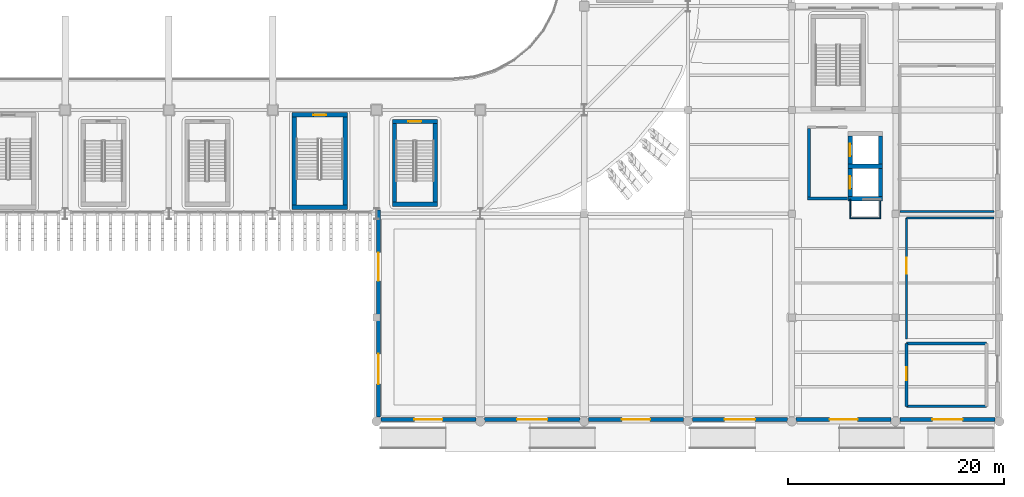
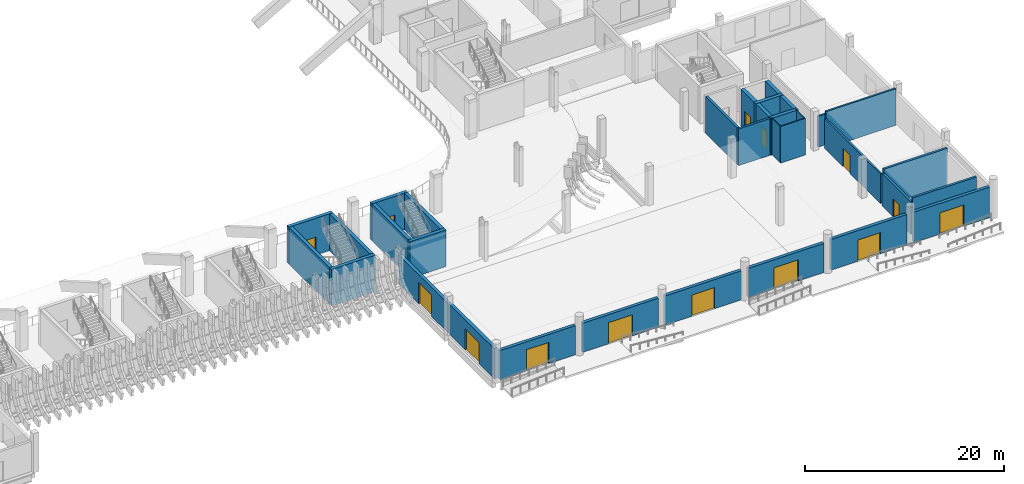
# One storey, part 53 of 100: 33 walls, 14 doors, 14 openings.
"""IFC4 building model written with IfcOpenShell, lengths in metres."""

from ifc_helpers import new_model, si_unit, direction, frame, frame_2d, origin, place, context, subcontext, project, spatial, rectangle, extrude, material, layer, layer_set, type_object, element, fill, save


model = new_model("IFC4")

# Units and contexts
model_context = context("Model", 3, precision=1e-05, world=origin(), true_north=direction((0.0, 1.0)))
body_context = subcontext(model_context, "Body", "Model", "MODEL_VIEW")
ifc_project = project(units=[si_unit("LENGTHUNIT", "METRE"), si_unit("AREAUNIT", "SQUARE_METRE"), si_unit("VOLUMEUNIT", "CUBIC_METRE"), si_unit("PLANEANGLEUNIT", "RADIAN"), si_unit("MASSUNIT", "GRAM", prefix="KILO")], contexts=[model_context])

# Site, building, storey
site_placement = place(None, origin())
site = spatial("IfcSite", under=ifc_project, at=site_placement, CompositionType="ELEMENT")
building_placement = place(site_placement, origin())
building = spatial("IfcBuilding", under=site, at=building_placement, Name="Caelomonte Colonnade Arena", CompositionType="ELEMENT")
storey_placement = place(building_placement, origin())
storey = spatial("IfcBuildingStorey", under=building, at=storey_placement, Name="L00", CompositionType="ELEMENT", Elevation=0.0)

# Wall, opening, door
ifc_material_1 = material(Name="Precast concrete C40/50", Category="concrete")
ifc_layer_1 = layer(ifc_material_1, 0.360107421875)
ifc_layer_set_1 = layer_set([ifc_layer_1], Name="Precast concrete C40/50")
wall_type_1 = type_object("IfcWallType", Name="ENV-WL-EXT36", PredefinedType="SOLIDWALL", material=ifc_layer_set_1)
wall_1_placement = place(storey_placement, frame((134.580078125, 19.550048828125, 0.0), z_axis=(0.0, 0.0, 1.0), x_axis=(0.0, -1.0, 0.0)))
wall_1 = element("IfcWall", 1, at=wall_1_placement, inside=storey, type_object=wall_type_1, Name="L00 exterior wall EW-L00-0121", PredefinedType="SOLIDWALL", context=body_context, shape_type="SweptSolid", body=[
    extrude(rectangle(XDim=9.949951171875, YDim=0.360107421875, at=frame_2d((4.97509765625, 0.0))), origin(), (0.0, 0.0, 1.0), 3.572998046875),
])
opening_1_placement = place(wall_1_placement, frame((6.548095703125, 0.0, 0.0), z_axis=(0.0, 0.0, 1.0), x_axis=(-1.0, 0.0, 0.0)))
opening_1 = element("IfcOpeningElement", 2, at=opening_1_placement, cuts=wall_1, Name="Opening E1", PredefinedType="OPENING", context=body_context, shape_type="SweptSolid", body=[
    extrude(rectangle(XDim=2.60009765625, YDim=2.60009765625, at=frame_2d((1.300048828125, 1.300048828125))), frame((0.0, 0.18994140625, 0.0), z_axis=(0.0, -1.0, 0.0), x_axis=(1.0, 0.0, 0.0)), (0.0, 0.0, 1.0), 0.380126953125),
])
ifc_material_2 = material(Name="Bronze anodised aluminium and tempered glass", Category="aluminium")
door_type_1 = type_object("IfcDoorType", Name="ENV-DR-E1", OperationType="DOUBLE_DOOR_SINGLE_SWING", PredefinedType="DOOR", material=ifc_material_2)
door_1_placement = place(opening_1_placement, origin())
door_1 = element("IfcDoor", 3, at=door_1_placement, inside=storey, type_object=door_type_1, Name="Main glazed entrance door E1", OperationType="DOUBLE_DOOR_SINGLE_SWING", OverallHeight=2.60009765625, OverallWidth=2.60009765625, PredefinedType="DOOR", context=body_context, shape_type="SweptSolid", body=[
    extrude(rectangle(XDim=2.60009765625, YDim=2.60009765625, at=frame_2d((1.300048828125, 1.300048828125))), frame((0.0, 0.02490234375, 0.0), z_axis=(0.0, -1.0, 0.0), x_axis=(1.0, 0.0, 0.0)), (0.0, 0.0, 1.0), 0.050048828125),
])
fill(opening_1, door_1)

wall_2_placement = place(storey_placement, frame((134.580078125, 9.60009765625, 0.0), z_axis=(0.0, 0.0, 1.0), x_axis=(0.0, -1.0, 0.0)))
wall_2 = element("IfcWall", 4, at=wall_2_placement, inside=storey, type_object=wall_type_1, Name="L00 exterior wall EW-L00-0122", PredefinedType="SOLIDWALL", context=body_context, shape_type="SweptSolid", body=[
    extrude(rectangle(XDim=9.195068359375, YDim=0.360107421875, at=frame_2d((4.59765625, 0.0))), origin(), (0.0, 0.0, 1.0), 3.699951171875),
])
opening_2_placement = place(wall_2_placement, frame((6.149658203125, 0.0, 0.0), z_axis=(0.0, 0.0, 1.0), x_axis=(-1.0, 0.0, 0.0)))
opening_2 = element("IfcOpeningElement", 5, at=opening_2_placement, cuts=wall_2, Name="Opening E2", PredefinedType="OPENING", context=body_context, shape_type="SweptSolid", body=[
    extrude(rectangle(XDim=2.800048828125, YDim=2.60009765625, at=frame_2d((1.39990234375, 1.300048828125))), frame((0.0, 0.18994140625, 0.0), z_axis=(0.0, -1.0, 0.0), x_axis=(1.0, 0.0, 0.0)), (0.0, 0.0, 1.0), 0.380126953125),
])
door_type_2 = type_object("IfcDoorType", Name="ENV-DR-E2", OperationType="DOUBLE_DOOR_SINGLE_SWING", PredefinedType="DOOR", material=ifc_material_2)
door_2_placement = place(opening_2_placement, origin())
door_2 = element("IfcDoor", 6, at=door_2_placement, inside=storey, type_object=door_type_2, Name="Main glazed entrance door E2", OperationType="DOUBLE_DOOR_SINGLE_SWING", OverallHeight=2.60009765625, OverallWidth=2.800048828125, PredefinedType="DOOR", context=body_context, shape_type="SweptSolid", body=[
    extrude(rectangle(XDim=2.800048828125, YDim=2.60009765625, at=frame_2d((1.39990234375, 1.300048828125))), frame((0.0, 0.02490234375, 0.0), z_axis=(0.0, -1.0, 0.0), x_axis=(1.0, 0.0, 0.0)), (0.0, 0.0, 1.0), 0.050048828125),
])
fill(opening_2, door_2)

wall_3_placement = place(storey_placement, frame((134.804931640625, 0.179931640625, 0.0), z_axis=(0.0, 0.0, 1.0), x_axis=(1.0, 0.0, 0.0)))
wall_3 = element("IfcWall", 7, at=wall_3_placement, inside=storey, type_object=wall_type_1, Name="L00 exterior wall EW-L00-0123", PredefinedType="SOLIDWALL", context=body_context, shape_type="SweptSolid", body=[
    extrude(rectangle(XDim=8.7900390625, YDim=0.360107421875, at=frame_2d((4.39501953125, 0.0))), origin(), (0.0, 0.0, 1.0), 3.572998046875),
])
opening_3_placement = place(wall_3_placement, frame((5.695068359375, 0.0, 0.0), z_axis=(0.0, 0.0, 1.0), x_axis=(-1.0, 0.0, 0.0)))
opening_3 = element("IfcOpeningElement", 8, at=opening_3_placement, cuts=wall_3, Name="Opening E3", PredefinedType="OPENING", context=body_context, shape_type="SweptSolid", body=[
    extrude(rectangle(XDim=2.60009765625, YDim=2.60009765625, at=frame_2d((1.300048828125, 1.300048828125))), frame((0.0, 0.18994140625, 0.0), z_axis=(0.0, -1.0, 0.0), x_axis=(1.0, 0.0, 0.0)), (0.0, 0.0, 1.0), 0.380126953125),
])
door_3_placement = place(opening_3_placement, origin())
door_3 = element("IfcDoor", 9, at=door_3_placement, inside=storey, type_object=door_type_1, Name="Main glazed entrance door E3", OperationType="DOUBLE_DOOR_SINGLE_SWING", OverallHeight=2.60009765625, OverallWidth=2.60009765625, PredefinedType="DOOR", context=body_context, shape_type="SweptSolid", body=[
    extrude(rectangle(XDim=2.60009765625, YDim=2.60009765625, at=frame_2d((1.300048828125, 1.300048828125))), frame((0.0, 0.02490234375, 0.0), z_axis=(0.0, -1.0, 0.0), x_axis=(1.0, 0.0, 0.0)), (0.0, 0.0, 1.0), 0.050048828125),
])
fill(opening_3, door_3)

wall_4_placement = place(storey_placement, frame((144.405029296875, 0.179931640625, 0.0), z_axis=(0.0, 0.0, 1.0), x_axis=(1.0, 0.0, 0.0)))
wall_4 = element("IfcWall", 10, at=wall_4_placement, inside=storey, type_object=wall_type_1, Name="L00 exterior wall EW-L00-0124", PredefinedType="SOLIDWALL", context=body_context, shape_type="SweptSolid", body=[
    extrude(rectangle(XDim=8.7900390625, YDim=0.360107421875, at=frame_2d((4.39501953125, 0.0))), origin(), (0.0, 0.0, 1.0), 3.572998046875),
])
opening_4_placement = place(wall_4_placement, frame((5.795166015625, 0.0, 0.0), z_axis=(0.0, 0.0, 1.0), x_axis=(-1.0, 0.0, 0.0)))
opening_4 = element("IfcOpeningElement", 11, at=opening_4_placement, cuts=wall_4, Name="Opening E4", PredefinedType="OPENING", context=body_context, shape_type="SweptSolid", body=[
    extrude(rectangle(XDim=2.800048828125, YDim=2.60009765625, at=frame_2d((1.39990234375, 1.300048828125))), frame((0.0, 0.18994140625, 0.0), z_axis=(0.0, -1.0, 0.0), x_axis=(1.0, 0.0, 0.0)), (0.0, 0.0, 1.0), 0.380126953125),
])
door_4_placement = place(opening_4_placement, origin())
door_4 = element("IfcDoor", 12, at=door_4_placement, inside=storey, type_object=door_type_2, Name="Main glazed entrance door E4", OperationType="DOUBLE_DOOR_SINGLE_SWING", OverallHeight=2.60009765625, OverallWidth=2.800048828125, PredefinedType="DOOR", context=body_context, shape_type="SweptSolid", body=[
    extrude(rectangle(XDim=2.800048828125, YDim=2.60009765625, at=frame_2d((1.39990234375, 1.300048828125))), frame((0.0, 0.02490234375, 0.0), z_axis=(0.0, -1.0, 0.0), x_axis=(1.0, 0.0, 0.0)), (0.0, 0.0, 1.0), 0.050048828125),
])
fill(opening_4, door_4)

wall_5_placement = place(storey_placement, frame((154.0048828125, 0.179931640625, 0.0), z_axis=(0.0, 0.0, 1.0), x_axis=(1.0, 0.0, 0.0)))
wall_5 = element("IfcWall", 13, at=wall_5_placement, inside=storey, type_object=wall_type_1, Name="L00 exterior wall EW-L00-0125", PredefinedType="SOLIDWALL", context=body_context, shape_type="SweptSolid", body=[
    extrude(rectangle(XDim=8.7900390625, YDim=0.360107421875, at=frame_2d((4.39501953125, 0.0))), origin(), (0.0, 0.0, 1.0), 3.572998046875),
])
opening_5_placement = place(wall_5_placement, frame((5.695068359375, 0.0, 0.0), z_axis=(0.0, 0.0, 1.0), x_axis=(-1.0, 0.0, 0.0)))
opening_5 = element("IfcOpeningElement", 14, at=opening_5_placement, cuts=wall_5, Name="Opening E5", PredefinedType="OPENING", context=body_context, shape_type="SweptSolid", body=[
    extrude(rectangle(XDim=2.60009765625, YDim=2.60009765625, at=frame_2d((1.300048828125, 1.300048828125))), frame((0.0, 0.18994140625, 0.0), z_axis=(0.0, -1.0, 0.0), x_axis=(1.0, 0.0, 0.0)), (0.0, 0.0, 1.0), 0.380126953125),
])
door_5_placement = place(opening_5_placement, origin())
door_5 = element("IfcDoor", 15, at=door_5_placement, inside=storey, type_object=door_type_1, Name="Main glazed entrance door E5", OperationType="DOUBLE_DOOR_SINGLE_SWING", OverallHeight=2.60009765625, OverallWidth=2.60009765625, PredefinedType="DOOR", context=body_context, shape_type="SweptSolid", body=[
    extrude(rectangle(XDim=2.60009765625, YDim=2.60009765625, at=frame_2d((1.300048828125, 1.300048828125))), frame((0.0, 0.02490234375, 0.0), z_axis=(0.0, -1.0, 0.0), x_axis=(1.0, 0.0, 0.0)), (0.0, 0.0, 1.0), 0.050048828125),
])
fill(opening_5, door_5)

wall_6_placement = place(storey_placement, frame((163.60498046875, 0.179931640625, 0.0), z_axis=(0.0, 0.0, 1.0), x_axis=(1.0, 0.0, 0.0)))
wall_6 = element("IfcWall", 16, at=wall_6_placement, inside=storey, type_object=wall_type_1, Name="L00 exterior wall EW-L00-0126", PredefinedType="SOLIDWALL", context=body_context, shape_type="SweptSolid", body=[
    extrude(rectangle(XDim=8.7900390625, YDim=0.360107421875, at=frame_2d((4.39501953125, 0.0))), origin(), (0.0, 0.0, 1.0), 3.572998046875),
])
opening_6_placement = place(wall_6_placement, frame((5.795166015625, 0.0, 0.0), z_axis=(0.0, 0.0, 1.0), x_axis=(-1.0, 0.0, 0.0)))
opening_6 = element("IfcOpeningElement", 17, at=opening_6_placement, cuts=wall_6, Name="Opening E6", PredefinedType="OPENING", context=body_context, shape_type="SweptSolid", body=[
    extrude(rectangle(XDim=2.800048828125, YDim=2.60009765625, at=frame_2d((1.39990234375, 1.300048828125))), frame((0.0, 0.18994140625, 0.0), z_axis=(0.0, -1.0, 0.0), x_axis=(1.0, 0.0, 0.0)), (0.0, 0.0, 1.0), 0.380126953125),
])
door_6_placement = place(opening_6_placement, origin())
door_6 = element("IfcDoor", 18, at=door_6_placement, inside=storey, type_object=door_type_2, Name="Main glazed entrance door E6", OperationType="DOUBLE_DOOR_SINGLE_SWING", OverallHeight=2.60009765625, OverallWidth=2.800048828125, PredefinedType="DOOR", context=body_context, shape_type="SweptSolid", body=[
    extrude(rectangle(XDim=2.800048828125, YDim=2.60009765625, at=frame_2d((1.39990234375, 1.300048828125))), frame((0.0, 0.02490234375, 0.0), z_axis=(0.0, -1.0, 0.0), x_axis=(1.0, 0.0, 0.0)), (0.0, 0.0, 1.0), 0.050048828125),
])
fill(opening_6, door_6)

wall_7_placement = place(storey_placement, frame((173.205078125, 0.179931640625, 0.0), z_axis=(0.0, 0.0, 1.0), x_axis=(1.0, 0.0, 0.0)))
wall_7 = element("IfcWall", 19, at=wall_7_placement, inside=storey, type_object=wall_type_1, Name="L00 exterior wall EW-L00-0127", PredefinedType="SOLIDWALL", context=body_context, shape_type="SweptSolid", body=[
    extrude(rectangle(XDim=8.7900390625, YDim=0.360107421875, at=frame_2d((4.39501953125, 0.0))), origin(), (0.0, 0.0, 1.0), 3.75),
])
opening_7_placement = place(wall_7_placement, frame((5.695068359375, 0.0, 0.0), z_axis=(0.0, 0.0, 1.0), x_axis=(-1.0, 0.0, 0.0)))
opening_7 = element("IfcOpeningElement", 20, at=opening_7_placement, cuts=wall_7, Name="Opening E7", PredefinedType="OPENING", context=body_context, shape_type="SweptSolid", body=[
    extrude(rectangle(XDim=2.60009765625, YDim=2.60009765625, at=frame_2d((1.300048828125, 1.300048828125))), frame((0.0, 0.18994140625, 0.0), z_axis=(0.0, -1.0, 0.0), x_axis=(1.0, 0.0, 0.0)), (0.0, 0.0, 1.0), 0.380126953125),
])
door_7_placement = place(opening_7_placement, origin())
door_7 = element("IfcDoor", 21, at=door_7_placement, inside=storey, type_object=door_type_1, Name="Main glazed entrance door E7", OperationType="DOUBLE_DOOR_SINGLE_SWING", OverallHeight=2.60009765625, OverallWidth=2.60009765625, PredefinedType="DOOR", context=body_context, shape_type="SweptSolid", body=[
    extrude(rectangle(XDim=2.60009765625, YDim=2.60009765625, at=frame_2d((1.300048828125, 1.300048828125))), frame((0.0, 0.02490234375, 0.0), z_axis=(0.0, -1.0, 0.0), x_axis=(1.0, 0.0, 0.0)), (0.0, 0.0, 1.0), 0.050048828125),
])
fill(opening_7, door_7)

wall_8_placement = place(storey_placement, frame((182.804931640625, 0.179931640625, 0.0), z_axis=(0.0, 0.0, 1.0), x_axis=(1.0, 0.0, 0.0)))
wall_8 = element("IfcWall", 22, at=wall_8_placement, inside=storey, type_object=wall_type_1, Name="L00 exterior wall EW-L00-0128", PredefinedType="SOLIDWALL", context=body_context, shape_type="SweptSolid", body=[
    extrude(rectangle(XDim=8.7900390625, YDim=0.360107421875, at=frame_2d((4.39501953125, 0.0))), origin(), (0.0, 0.0, 1.0), 3.75),
])
opening_8_placement = place(wall_8_placement, frame((5.795166015625, 0.0, 0.0), z_axis=(0.0, 0.0, 1.0), x_axis=(-1.0, 0.0, 0.0)))
opening_8 = element("IfcOpeningElement", 23, at=opening_8_placement, cuts=wall_8, Name="Opening E8", PredefinedType="OPENING", context=body_context, shape_type="SweptSolid", body=[
    extrude(rectangle(XDim=2.800048828125, YDim=2.60009765625, at=frame_2d((1.39990234375, 1.300048828125))), frame((0.0, 0.18994140625, 0.0), z_axis=(0.0, -1.0, 0.0), x_axis=(1.0, 0.0, 0.0)), (0.0, 0.0, 1.0), 0.380126953125),
])
door_8_placement = place(opening_8_placement, origin())
door_8 = element("IfcDoor", 24, at=door_8_placement, inside=storey, type_object=door_type_2, Name="Main glazed entrance door E8", OperationType="DOUBLE_DOOR_SINGLE_SWING", OverallHeight=2.60009765625, OverallWidth=2.800048828125, PredefinedType="DOOR", context=body_context, shape_type="SweptSolid", body=[
    extrude(rectangle(XDim=2.800048828125, YDim=2.60009765625, at=frame_2d((1.39990234375, 1.300048828125))), frame((0.0, 0.02490234375, 0.0), z_axis=(0.0, -1.0, 0.0), x_axis=(1.0, 0.0, 0.0)), (0.0, 0.0, 1.0), 0.050048828125),
])
fill(opening_8, door_8)

# Walls
ifc_material_3 = material(Name="Concrete C40/50", Category="concrete")
ifc_layer_2 = layer(ifc_material_3, 0.260009765625)
ifc_layer_set_2 = layer_set([ifc_layer_2], Name="Concrete C40/50")
wall_type_2 = type_object("IfcWallType", Name="INT-WL-FW26", PredefinedType="SOLIDWALL", material=ifc_layer_set_2)
wall_9_placement = place(storey_placement, frame((174.27001953125, 20.60009765625, 0.0), z_axis=(0.0, 0.0, 1.0), x_axis=(1.0, 0.0, 0.0)))
element("IfcWall", 25, at=wall_9_placement, inside=storey, type_object=wall_type_2, Name="FW-C5-LB L00 south enclosure wall", PredefinedType="SOLIDWALL", context=body_context, shape_type="SweptSolid", body=[
    extrude(rectangle(XDim=3.659912109375, YDim=0.260009765625, at=frame_2d((1.830078125, 0.0))), origin(), (0.0, 0.0, 1.0), 4.5),
])
wall_10_placement = place(storey_placement, frame((174.39990234375, 27.070068359375, 0.0), z_axis=(0.0, 0.0, 1.0), x_axis=(0.0, -1.0, 0.0)))
element("IfcWall", 26, at=wall_10_placement, inside=storey, type_object=wall_type_2, Name="FW-C5-LB L00 west enclosure wall", PredefinedType="SOLIDWALL", context=body_context, shape_type="SweptSolid", body=[
    extrude(rectangle(XDim=6.340087890625, YDim=0.260009765625, at=frame_2d((3.169921875, 0.0))), origin(), (0.0, 0.0, 1.0), 4.5),
])
for number, where, z_axis, x_axis, name in (
    (27, (183.39990234375, 7.199951171875, 0.0), (0.0, 0.0, 1.0), (1.0, 0.0, 0.0), "L00 Fire Command Centre partition 84"),
    (28, (190.800048828125, 1.39990234375, 0.0), (0.0, 0.0, 1.0), (-1.0, 0.0, 0.0), "L00 Fire Command Centre partition 86"),
):
    element("IfcWall", number, at=place(storey_placement, frame(where, z_axis=z_axis, x_axis=x_axis)), inside=storey, type_object=wall_type_2, Name=name, PredefinedType="SOLIDWALL", context=body_context, shape_type="SweptSolid", body=[
        extrude(rectangle(XDim=7.400146484375, YDim=0.260009765625, at=frame_2d((3.7001953125, 0.0))), origin(), (0.0, 0.0, 1.0), 4.5),
    ])

# Wall, opening, door
wall_11_placement = place(storey_placement, frame((183.39990234375, 1.39990234375, 0.0), z_axis=(0.0, 0.0, 1.0), x_axis=(0.0, 1.0, 0.0)))
wall_11 = element("IfcWall", 29, at=wall_11_placement, inside=storey, type_object=wall_type_2, Name="L00 Fire Command Centre partition 87", PredefinedType="SOLIDWALL", context=body_context, shape_type="SweptSolid", body=[
    extrude(rectangle(XDim=5.800048828125, YDim=0.260009765625, at=frame_2d((2.89990234375, 0.0))), origin(), (0.0, 0.0, 1.0), 3.9716796875),
])
opening_9_placement = place(wall_11_placement, frame((2.39208984375, 0.0, 0.0), z_axis=(0.0, 0.0, 1.0), x_axis=(1.0, 0.0, 0.0)))
opening_9 = element("IfcOpeningElement", 30, at=opening_9_placement, cuts=wall_11, Name="Opening D-L00-026", PredefinedType="OPENING", context=body_context, shape_type="SweptSolid", body=[
    extrude(rectangle(XDim=1.199951171875, YDim=2.199951171875, at=frame_2d((0.60009765625, 1.10009765625))), frame((0.0, 0.139892578125, 0.0), z_axis=(0.0, -1.0, 0.0), x_axis=(1.0, 0.0, 0.0)), (0.0, 0.0, 1.0), 0.280029296875),
])
ifc_material_4 = material(Name="Fire-rated steel door", Category="steel")
door_type_3 = type_object("IfcDoorType", Name="INT-DR-FD90A", OperationType="NOTDEFINED", PredefinedType="DOOR", material=ifc_material_4)
door_9_placement = place(opening_9_placement, origin())
door_9 = element("IfcDoor", 31, at=door_9_placement, inside=storey, type_object=door_type_3, Name="L00 Fire Command Centre door D-L00-026", OperationType="SINGLE_SWING_LEFT", OverallHeight=2.199951171875, OverallWidth=1.199951171875, PredefinedType="DOOR", context=body_context, shape_type="SweptSolid", body=[
    extrude(rectangle(XDim=1.199951171875, YDim=2.199951171875, at=frame_2d((0.60009765625, 1.10009765625))), frame((0.0, 0.02490234375, 0.0), z_axis=(0.0, -1.0, 0.0), x_axis=(1.0, 0.0, 0.0)), (0.0, 0.0, 1.0), 0.050048828125),
])
fill(opening_9, door_9)

# Walls
ifc_material_5 = material(Name="Service shaft lining partition")
ifc_layer_3 = layer(ifc_material_5, 0.10009765625)
ifc_layer_set_3 = layer_set([ifc_layer_3], Name="Service shaft lining partition")
wall_type_3 = type_object("IfcWallType", Name="INT-WL-PT10", PredefinedType="PARTITIONING", material=ifc_layer_set_3)
wall_12_placement = place(storey_placement, frame((178.14990234375, 18.800048828125, 0.0), z_axis=(0.0, 0.0, 1.0), x_axis=(1.0, 0.0, 0.0)))
element("IfcWall", 32, at=wall_12_placement, inside=storey, type_object=wall_type_3, Name="FW-C5-RS L00 south enclosure wall", PredefinedType="PARTITIONING", context=body_context, shape_type="SweptSolid", body=[
    extrude(rectangle(XDim=2.900146484375, YDim=0.10009765625, at=frame_2d((1.4501953125, 0.0))), origin(), (0.0, 0.0, 1.0), 4.5),
])
for number, where, z_axis, x_axis, name in (
    (33, (178.199951171875, 20.550048828125, 0.0), (0.0, 0.0, 1.0), (0.0, -1.0, 0.0), "FW-C5-RS L00 west enclosure wall"),
    (34, (181.0, 18.85009765625, 0.0), (0.0, 0.0, 1.0), (0.0, 1.0, 0.0), "FW-C5-RS L00 east enclosure wall"),
):
    element("IfcWall", number, at=place(storey_placement, frame(where, z_axis=z_axis, x_axis=x_axis)), inside=storey, type_object=wall_type_3, Name=name, PredefinedType="PARTITIONING", context=body_context, shape_type="SweptSolid", body=[
        extrude(rectangle(XDim=1.699951171875, YDim=0.10009765625, at=frame_2d((0.85009765625, 0.0))), origin(), (0.0, 0.0, 1.0), 4.5),
    ])
ifc_material_6 = material(Name="Fire-rated gypsum stud partition")
ifc_layer_4 = layer(ifc_material_6, 0.199951171875)
ifc_layer_set_4 = layer_set([ifc_layer_4], Name="Fire-rated gypsum stud partition")
wall_type_4 = type_object("IfcWallType", Name="INT-WL-PT20", PredefinedType="PARTITIONING", material=ifc_layer_set_4)
wall_13_placement = place(storey_placement, frame((183.39990234375, 18.800048828125, 0.0), z_axis=(0.0, 0.0, 1.0), x_axis=(1.0, 0.0, 0.0)))
element("IfcWall", 35, at=wall_13_placement, inside=storey, type_object=wall_type_4, Name="L00 Ticketing Hall partition 88", PredefinedType="PARTITIONING", context=body_context, shape_type="SweptSolid", body=[
    extrude(rectangle(XDim=8.10009765625, YDim=0.199951171875, at=frame_2d((4.050048828125, 0.0))), origin(), (0.0, 0.0, 1.0), 4.5),
])

# Wall, opening, door
wall_14_placement = place(storey_placement, frame((183.39990234375, 7.60009765625, 0.0), z_axis=(0.0, 0.0, 1.0), x_axis=(0.0, 1.0, 0.0)))
wall_14 = element("IfcWall", 36, at=wall_14_placement, inside=storey, type_object=wall_type_4, Name="L00 Ticketing Hall partition 89", PredefinedType="PARTITIONING", context=body_context, shape_type="SweptSolid", body=[
    extrude(rectangle(XDim=11.199951171875, YDim=0.199951171875, at=frame_2d((5.60009765625, 0.0))), origin(), (0.0, 0.0, 1.0), 3.664306640625),
])
opening_10_placement = place(wall_14_placement, frame((6.050048828125, 0.0, 0.0), z_axis=(0.0, 0.0, 1.0), x_axis=(1.0, 0.0, 0.0)))
opening_10 = element("IfcOpeningElement", 37, at=opening_10_placement, cuts=wall_14, Name="Opening D-L00-027", PredefinedType="OPENING", context=body_context, shape_type="SweptSolid", body=[
    extrude(rectangle(XDim=1.5, YDim=2.25, at=frame_2d((0.75, 1.125))), frame((0.0, 0.10986328125, 0.0), z_axis=(0.0, -1.0, 0.0), x_axis=(1.0, 0.0, 0.0)), (0.0, 0.0, 1.0), 0.219970703125),
])
ifc_material_7 = material(Name="Hardwood double club lounge door", Category="wood")
door_type_4 = type_object("IfcDoorType", Name="INT-DR-SU2", OperationType="DOUBLE_DOOR_SINGLE_SWING", PredefinedType="DOOR", material=ifc_material_7)
door_10_placement = place(opening_10_placement, origin())
door_10 = element("IfcDoor", 38, at=door_10_placement, inside=storey, type_object=door_type_4, Name="L00 Ticketing Hall door D-L00-027", OperationType="DOUBLE_DOOR_SINGLE_SWING", OverallHeight=2.25, OverallWidth=1.5, PredefinedType="DOOR", context=body_context, shape_type="SweptSolid", body=[
    extrude(rectangle(XDim=1.5, YDim=2.25, at=frame_2d((0.75, 1.125))), frame((0.0, 0.02490234375, 0.0), z_axis=(0.0, -1.0, 0.0), x_axis=(1.0, 0.0, 0.0)), (0.0, 0.0, 1.0), 0.050048828125),
])
fill(opening_10, door_10)

# Walls
wall_15_placement = place(storey_placement, frame((191.5, 19.39990234375, 0.0), z_axis=(0.0, 0.0, 1.0), x_axis=(-1.0, 0.0, 0.0)))
element("IfcWall", 39, at=wall_15_placement, inside=storey, type_object=wall_type_4, Name="L00 VIP Accreditation Lounge partition 91", PredefinedType="PARTITIONING", context=body_context, shape_type="SweptSolid", body=[
    extrude(rectangle(XDim=8.699951171875, YDim=0.199951171875, at=frame_2d((4.35009765625, 0.0))), origin(), (0.0, 0.0, 1.0), 3.75),
])
ifc_material_8 = material(Name="Concrete C50/60", Category="concrete")
ifc_layer_5 = layer(ifc_material_8, 0.39990234375)
ifc_layer_set_5 = layer_set([ifc_layer_5], Name="Concrete C50/60")
wall_type_5 = type_object("IfcWallType", Name="INT-WL-SH40", PredefinedType="SHEAR", material=ifc_layer_set_5)
for number, where, z_axis, x_axis, name in (
    (40, (178.0, 20.60009765625, 0.0), (0.0, 0.0, 1.0), (1.0, 0.0, 0.0), "CW-C5-LF L00 south enclosure wall"),
    (41, (181.199951171875, 23.60009765625, 0.0), (0.0, 0.0, 1.0), (-1.0, 0.0, 0.0), "CW-C5-LF L00 north enclosure wall"),
):
    element("IfcWall", number, at=place(storey_placement, frame(where, z_axis=z_axis, x_axis=x_axis)), inside=storey, type_object=wall_type_5, Name=name, PredefinedType="SHEAR", context=body_context, shape_type="SweptSolid", body=[
        extrude(rectangle(XDim=3.199951171875, YDim=0.39990234375, at=frame_2d((1.60009765625, 0.0))), origin(), (0.0, 0.0, 1.0), 4.5),
    ])

# Wall, opening, door
wall_16_placement = place(storey_placement, frame((178.199951171875, 23.39990234375, 0.0), z_axis=(0.0, 0.0, 1.0), x_axis=(0.0, -1.0, 0.0)))
wall_16 = element("IfcWall", 42, at=wall_16_placement, inside=storey, type_object=wall_type_5, Name="CW-C5-LF L00 west enclosure wall", PredefinedType="SHEAR", context=body_context, shape_type="SweptSolid", body=[
    extrude(rectangle(XDim=2.599853515625, YDim=0.39990234375, at=frame_2d((1.2998046875, 0.0))), origin(), (0.0, 0.0, 1.0), 4.5),
])
opening_11_placement = place(wall_16_placement, frame((0.72509765625, 0.0, 0.0), z_axis=(0.0, 0.0, 1.0), x_axis=(1.0, 0.0, 0.0)))
opening_11 = element("IfcOpeningElement", 43, at=opening_11_placement, cuts=wall_16, Name="Opening LD-LF-01-L00", PredefinedType="OPENING", context=body_context, shape_type="SweptSolid", body=[
    extrude(rectangle(XDim=1.14990234375, YDim=2.199951171875, at=frame_2d((0.574951171875, 1.10009765625))), frame((0.0, 0.2099609375, 0.0), z_axis=(0.0, -1.0, 0.0), x_axis=(1.0, 0.0, 0.0)), (0.0, 0.0, 1.0), 0.419921875),
])
ifc_material_9 = material(Name="Stainless steel lift landing door", Category="steel")
door_type_5 = type_object("IfcDoorType", Name="INT-DR-LD1", OperationType="SLIDING_TO_LEFT", PredefinedType="DOOR", material=ifc_material_9)
door_11_placement = place(opening_11_placement, origin())
door_11 = element("IfcDoor", 44, at=door_11_placement, inside=storey, type_object=door_type_5, Name="Lift LF-01 L00 sliding landing door", OperationType="SLIDING_TO_LEFT", OverallHeight=2.199951171875, OverallWidth=1.14990234375, PredefinedType="DOOR", context=body_context, shape_type="SweptSolid", body=[
    extrude(rectangle(XDim=1.14990234375, YDim=2.199951171875, at=frame_2d((0.574951171875, 1.10009765625))), frame((0.0, 0.02490234375, 0.0), z_axis=(0.0, -1.0, 0.0), x_axis=(1.0, 0.0, 0.0)), (0.0, 0.0, 1.0), 0.050048828125),
])
fill(opening_11, door_11)

# Wall
wall_17_placement = place(storey_placement, frame((181.0, 20.800048828125, 0.0), z_axis=(0.0, 0.0, 1.0), x_axis=(0.0, 1.0, 0.0)))
element("IfcWall", 45, at=wall_17_placement, inside=storey, type_object=wall_type_5, Name="CW-C5-LF L00 east enclosure wall", PredefinedType="SHEAR", context=body_context, shape_type="SweptSolid", body=[
    extrude(rectangle(XDim=2.599853515625, YDim=0.39990234375, at=frame_2d((1.2998046875, 0.0))), origin(), (0.0, 0.0, 1.0), 4.5),
])

# Wall, opening, door
wall_18_placement = place(storey_placement, frame((178.199951171875, 26.39990234375, 0.0), z_axis=(0.0, 0.0, 1.0), x_axis=(0.0, -1.0, 0.0)))
wall_18 = element("IfcWall", 46, at=wall_18_placement, inside=storey, type_object=wall_type_5, Name="CW-C5-LF2 L00 west enclosure wall", PredefinedType="SHEAR", context=body_context, shape_type="SweptSolid", body=[
    extrude(rectangle(XDim=2.599853515625, YDim=0.39990234375, at=frame_2d((1.2998046875, 0.0))), origin(), (0.0, 0.0, 1.0), 4.5),
])
opening_12_placement = place(wall_18_placement, frame((0.72509765625, 0.0, 0.0), z_axis=(0.0, 0.0, 1.0), x_axis=(1.0, 0.0, 0.0)))
opening_12 = element("IfcOpeningElement", 47, at=opening_12_placement, cuts=wall_18, Name="Opening LD-LF-02-L00", PredefinedType="OPENING", context=body_context, shape_type="SweptSolid", body=[
    extrude(rectangle(XDim=1.14990234375, YDim=2.199951171875, at=frame_2d((0.574951171875, 1.10009765625))), frame((0.0, 0.2099609375, 0.0), z_axis=(0.0, -1.0, 0.0), x_axis=(1.0, 0.0, 0.0)), (0.0, 0.0, 1.0), 0.419921875),
])
door_12_placement = place(opening_12_placement, origin())
door_12 = element("IfcDoor", 48, at=door_12_placement, inside=storey, type_object=door_type_5, Name="Lift LF-02 L00 sliding landing door", OperationType="SLIDING_TO_LEFT", OverallHeight=2.199951171875, OverallWidth=1.14990234375, PredefinedType="DOOR", context=body_context, shape_type="SweptSolid", body=[
    extrude(rectangle(XDim=1.14990234375, YDim=2.199951171875, at=frame_2d((0.574951171875, 1.10009765625))), frame((0.0, 0.02490234375, 0.0), z_axis=(0.0, -1.0, 0.0), x_axis=(1.0, 0.0, 0.0)), (0.0, 0.0, 1.0), 0.050048828125),
])
fill(opening_12, door_12)

# Walls
wall_19_placement = place(storey_placement, frame((181.0, 23.800048828125, 0.0), z_axis=(0.0, 0.0, 1.0), x_axis=(0.0, 1.0, 0.0)))
element("IfcWall", 49, at=wall_19_placement, inside=storey, type_object=wall_type_5, Name="CW-C5-LF2 L00 east enclosure wall", PredefinedType="SHEAR", context=body_context, shape_type="SweptSolid", body=[
    extrude(rectangle(XDim=2.599853515625, YDim=0.39990234375, at=frame_2d((1.2998046875, 0.0))), origin(), (0.0, 0.0, 1.0), 4.5),
])
wall_20_placement = place(storey_placement, frame((126.60009765625, 19.800048828125, 0.0), z_axis=(0.0, 0.0, 1.0), x_axis=(1.0, 0.0, 0.0)))
element("IfcWall", 50, at=wall_20_placement, inside=storey, type_object=wall_type_5, Name="CW-ST-13 L00 south enclosure wall", PredefinedType="SHEAR", context=body_context, shape_type="SweptSolid", body=[
    extrude(rectangle(XDim=5.099853515625, YDim=0.39990234375, at=frame_2d((2.5498046875, 0.0))), origin(), (0.0, 0.0, 1.0), 4.5),
])

# Wall, opening, door
wall_21_placement = place(storey_placement, frame((131.699951171875, 28.35009765625, 0.0), z_axis=(0.0, 0.0, 1.0), x_axis=(-1.0, 0.0, 0.0)))
wall_21 = element("IfcWall", 51, at=wall_21_placement, inside=storey, type_object=wall_type_5, Name="CW-ST-13 L00 north enclosure wall", PredefinedType="SHEAR", context=body_context, shape_type="SweptSolid", body=[
    extrude(rectangle(XDim=5.099853515625, YDim=0.39990234375, at=frame_2d((2.5498046875, 0.0))), origin(), (0.0, 0.0, 1.0), 4.5),
])
opening_13_placement = place(wall_21_placement, frame((3.14990234375, 0.0, 0.0), z_axis=(0.0, 0.0, 1.0), x_axis=(-1.0, 0.0, 0.0)))
opening_13 = element("IfcOpeningElement", 52, at=opening_13_placement, cuts=wall_21, Name="Opening FD-1", PredefinedType="OPENING", context=body_context, shape_type="SweptSolid", body=[
    extrude(rectangle(XDim=1.199951171875, YDim=2.199951171875, at=frame_2d((0.60009765625, 1.10009765625))), frame((0.0, 0.2099609375, 0.0), z_axis=(0.0, -1.0, 0.0), x_axis=(1.0, 0.0, 0.0)), (0.0, 0.0, 1.0), 0.419921875),
])
door_13_placement = place(opening_13_placement, origin())
door_13 = element("IfcDoor", 53, at=door_13_placement, inside=storey, type_object=door_type_3, Name="Protected exit stair ST-13 L00 fire door", OperationType="SINGLE_SWING_LEFT", OverallHeight=2.199951171875, OverallWidth=1.199951171875, PredefinedType="DOOR", context=body_context, shape_type="SweptSolid", body=[
    extrude(rectangle(XDim=1.199951171875, YDim=2.199951171875, at=frame_2d((0.60009765625, 1.10009765625))), frame((0.0, 0.02490234375, 0.0), z_axis=(0.0, -1.0, 0.0), x_axis=(1.0, 0.0, 0.0)), (0.0, 0.0, 1.0), 0.050048828125),
])
fill(opening_13, door_13)

# Walls
for number, where, z_axis, x_axis, name in (
    (54, (126.800048828125, 28.14990234375, 0.0), (0.0, 0.0, 1.0), (0.0, -1.0, 0.0), "CW-ST-13 L00 west enclosure wall"),
    (55, (131.5, 20.0, 0.0), (0.0, 0.0, 1.0), (0.0, 1.0, 0.0), "CW-ST-13 L00 east enclosure wall"),
):
    element("IfcWall", number, at=place(storey_placement, frame(where, z_axis=z_axis, x_axis=x_axis)), inside=storey, type_object=wall_type_5, Name=name, PredefinedType="SHEAR", context=body_context, shape_type="SweptSolid", body=[
        extrude(rectangle(XDim=8.14990234375, YDim=0.39990234375, at=frame_2d((4.074951171875, 0.0))), origin(), (0.0, 0.0, 1.0), 4.5),
    ])
wall_22_placement = place(storey_placement, frame((135.8701171875, 20.070068359375, 0.0), z_axis=(0.0, 0.0, 1.0), x_axis=(1.0, 0.0, 0.0)))
element("IfcWall", 56, at=wall_22_placement, inside=storey, type_object=wall_type_5, Name="CW-ST-V04 L00 south enclosure wall", PredefinedType="SHEAR", context=body_context, shape_type="SweptSolid", body=[
    extrude(rectangle(XDim=4.159912109375, YDim=0.39990234375, at=frame_2d((2.080078125, 0.0))), origin(), (0.0, 0.0, 1.0), 4.5),
])

# Wall, opening, door
wall_23_placement = place(storey_placement, frame((140.030029296875, 27.72998046875, 0.0), z_axis=(0.0, 0.0, 1.0), x_axis=(-1.0, 0.0, 0.0)))
wall_23 = element("IfcWall", 57, at=wall_23_placement, inside=storey, type_object=wall_type_5, Name="CW-ST-V04 L00 north enclosure wall", PredefinedType="SHEAR", context=body_context, shape_type="SweptSolid", body=[
    extrude(rectangle(XDim=4.159912109375, YDim=0.39990234375, at=frame_2d((2.080078125, 0.0))), origin(), (0.0, 0.0, 1.0), 4.5),
])
opening_14_placement = place(wall_23_placement, frame((2.679931640625, 0.0, 0.0), z_axis=(0.0, 0.0, 1.0), x_axis=(-1.0, 0.0, 0.0)))
opening_14 = element("IfcOpeningElement", 58, at=opening_14_placement, cuts=wall_23, Name="Opening FD-1", PredefinedType="OPENING", context=body_context, shape_type="SweptSolid", body=[
    extrude(rectangle(XDim=1.199951171875, YDim=2.199951171875, at=frame_2d((0.60009765625, 1.10009765625))), frame((0.0, 0.2099609375, 0.0), z_axis=(0.0, -1.0, 0.0), x_axis=(1.0, 0.0, 0.0)), (0.0, 0.0, 1.0), 0.419921875),
])
door_14_placement = place(opening_14_placement, origin())
door_14 = element("IfcDoor", 59, at=door_14_placement, inside=storey, type_object=door_type_3, Name="Vomitory VOM-04 stair ST-V04 L00 portal door", OperationType="SINGLE_SWING_RIGHT", OverallHeight=2.199951171875, OverallWidth=1.199951171875, PredefinedType="DOOR", context=body_context, shape_type="SweptSolid", body=[
    extrude(rectangle(XDim=1.199951171875, YDim=2.199951171875, at=frame_2d((0.60009765625, 1.10009765625))), frame((0.0, 0.02490234375, 0.0), z_axis=(0.0, -1.0, 0.0), x_axis=(1.0, 0.0, 0.0)), (0.0, 0.0, 1.0), 0.050048828125),
])
fill(opening_14, door_14)

# Walls
for number, where, z_axis, x_axis, name in (
    (60, (136.070068359375, 27.530029296875, 0.0), (0.0, 0.0, 1.0), (0.0, -1.0, 0.0), "CW-ST-V04 L00 west enclosure wall"),
    (61, (139.830078125, 20.27001953125, 0.0), (0.0, 0.0, 1.0), (0.0, 1.0, 0.0), "CW-ST-V04 L00 east enclosure wall"),
):
    element("IfcWall", number, at=place(storey_placement, frame(where, z_axis=z_axis, x_axis=x_axis)), inside=storey, type_object=wall_type_5, Name=name, PredefinedType="SHEAR", context=body_context, shape_type="SweptSolid", body=[
        extrude(rectangle(XDim=7.260009765625, YDim=0.39990234375, at=frame_2d((3.6298828125, 0.0))), origin(), (0.0, 0.0, 1.0), 4.5),
    ])

save(model, "model.ifc")
